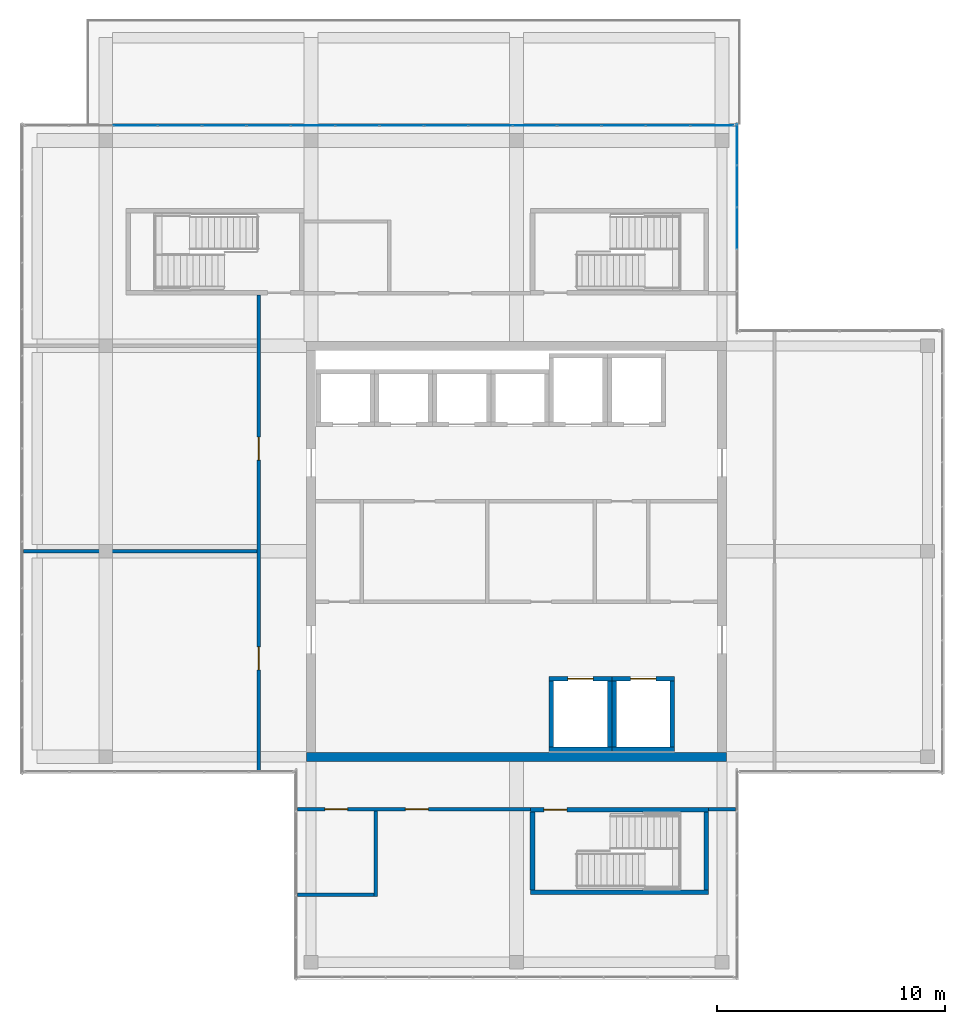
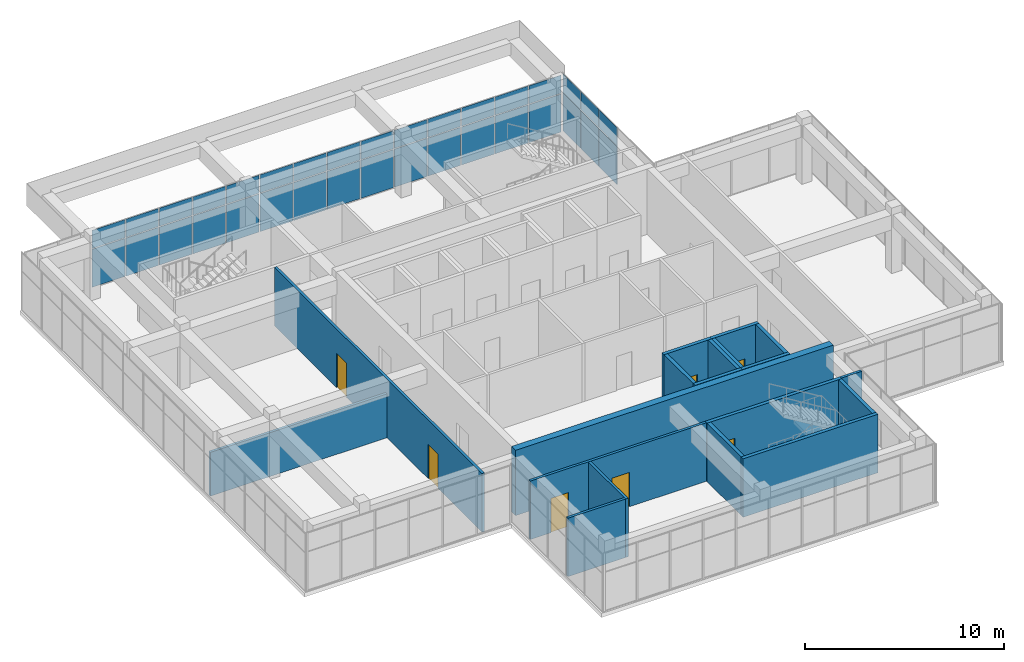
# One storey, part 31 of 35: 34 plates, 19 walls, 7 doors, 7 openings, 2 elements without a shape of their own.
"""IFC4 building model written with IfcOpenShell, lengths in metres."""

from ifc_helpers import new_model, si_unit, direction, frame, frame_2d, origin, origin_2d, place, context, subcontext, project, spatial, rectangle, extrude, material, layer, layer_set, type_object, element, fill, aggregate, save


model = new_model("IFC4")

# Units and contexts
model_context = context("Model", 3, precision=1e-05, world=origin(), true_north=direction((0.0, 1.0)))
body_context = subcontext(model_context, "Body", "Model", "MODEL_VIEW")
ifc_project = project(units=[si_unit("LENGTHUNIT", "METRE"), si_unit("AREAUNIT", "SQUARE_METRE"), si_unit("VOLUMEUNIT", "CUBIC_METRE"), si_unit("PLANEANGLEUNIT", "RADIAN"), si_unit("MASSUNIT", "GRAM", prefix="KILO")], contexts=[model_context])

# Site, building, storey
site_placement = place(None, origin())
site = spatial("IfcSite", under=ifc_project, at=site_placement, CompositionType="ELEMENT")
building_placement = place(site_placement, origin())
building = spatial("IfcBuilding", under=site, at=building_placement, Name="Tuart Plaza Theatre", CompositionType="ELEMENT")
storey_placement = place(building_placement, frame((0.0, 0.0, 49.5)))
storey = spatial("IfcBuildingStorey", under=building, at=storey_placement, Name="L12", CompositionType="ELEMENT", Elevation=49.5)

# Curtain wall, plates
ifc_material_1 = material(Name="Aluminium and glass", Category="aluminium")
ifc_layer_1 = layer(ifc_material_1, 0.10009765625)
ifc_layer_set_1 = layer_set([ifc_layer_1], Name="CURTAIN WALL 2000 module")
curtain_wall_type = type_object("IfcCurtainWallType", Name="CURTAIN WALL 2000 module", PredefinedType="NOTDEFINED", material=ifc_layer_set_1)
curtain_wall_1_placement = place(storey_placement, origin())
curtain_wall_1 = element("IfcCurtainWall", 1, at=curtain_wall_1_placement, inside=storey, type_object=curtain_wall_type, Name="CW104", PredefinedType="NOTDEFINED")
ifc_material_2 = material(Name="Glass", Category="glass")
ifc_layer_2 = layer(ifc_material_2, 0.028076171875)
ifc_layer_set_2 = layer_set([ifc_layer_2], Name="CURTAIN PANEL double glazed 28")
plate_type = type_object("IfcPlateType", Name="CURTAIN PANEL double glazed 28", PredefinedType="CURTAIN_PANEL", material=ifc_layer_set_2)
plate_1_placement = place(storey_placement, frame((141.64990234375, 88.14990234375, 0.0498046875), z_axis=(0.0, 0.0, 1.0), x_axis=(0.0, 1.0, 0.0)))
plate_1 = element("IfcPlate", 2, at=plate_1_placement, type_object=plate_type, Name="CW104 panel 3.1", PredefinedType="CURTAIN_PANEL", context=body_context, shape_type="SweptSolid", body=[
    extrude(rectangle(XDim=1.7900390625, YDim=0.028076171875, at=origin_2d()), origin(), (0.0, 0.0, 1.0), 2.324951171875),
])
plate_2_placement = place(storey_placement, frame((141.64990234375, 88.14990234375, 2.425048828125), z_axis=(0.0, 0.0, 1.0), x_axis=(0.0, 1.0, 0.0)))
plate_2 = element("IfcPlate", 3, at=plate_2_placement, type_object=plate_type, Name="CW104 panel 3.2", PredefinedType="CURTAIN_PANEL", context=body_context, shape_type="SweptSolid", body=[
    extrude(rectangle(XDim=1.7900390625, YDim=0.028076171875, at=origin_2d()), origin(), (0.0, 0.0, 1.0), 1.10498046875),
])
plate_3_placement = place(storey_placement, frame((141.64990234375, 89.989990234375, 0.0498046875), z_axis=(0.0, 0.0, 1.0), x_axis=(0.0, 1.0, 0.0)))
plate_3 = element("IfcPlate", 4, at=plate_3_placement, type_object=plate_type, Name="CW104 panel 4.1", PredefinedType="CURTAIN_PANEL", context=body_context, shape_type="SweptSolid", body=[
    extrude(rectangle(XDim=1.7900390625, YDim=0.028076171875, at=origin_2d()), origin(), (0.0, 0.0, 1.0), 2.324951171875),
])
plate_4_placement = place(storey_placement, frame((141.64990234375, 89.989990234375, 2.425048828125), z_axis=(0.0, 0.0, 1.0), x_axis=(0.0, 1.0, 0.0)))
plate_4 = element("IfcPlate", 5, at=plate_4_placement, type_object=plate_type, Name="CW104 panel 4.2", PredefinedType="CURTAIN_PANEL", context=body_context, shape_type="SweptSolid", body=[
    extrude(rectangle(XDim=1.7900390625, YDim=0.028076171875, at=origin_2d()), origin(), (0.0, 0.0, 1.0), 1.10498046875),
])
plate_5_placement = place(storey_placement, frame((141.64990234375, 91.8173828125, 0.0498046875), z_axis=(0.0, 0.0, 1.0), x_axis=(0.0, 1.0, 0.0)))
plate_5 = element("IfcPlate", 6, at=plate_5_placement, type_object=plate_type, Name="CW104 panel 5.1", PredefinedType="CURTAIN_PANEL", context=body_context, shape_type="SweptSolid", body=[
    extrude(rectangle(XDim=1.764892578125, YDim=0.028076171875, at=origin_2d()), origin(), (0.0, 0.0, 1.0), 2.324951171875),
])
plate_6_placement = place(storey_placement, frame((141.64990234375, 91.8173828125, 2.425048828125), z_axis=(0.0, 0.0, 1.0), x_axis=(0.0, 1.0, 0.0)))
plate_6 = element("IfcPlate", 7, at=plate_6_placement, type_object=plate_type, Name="CW104 panel 5.2", PredefinedType="CURTAIN_PANEL", context=body_context, shape_type="SweptSolid", body=[
    extrude(rectangle(XDim=1.764892578125, YDim=0.028076171875, at=origin_2d()), origin(), (0.0, 0.0, 1.0), 1.10498046875),
])
aggregate(curtain_wall_1, [plate_1, plate_2, plate_3, plate_4, plate_5, plate_6])

curtain_wall_2_placement = place(storey_placement, origin())
curtain_wall_2 = element("IfcCurtainWall", 8, at=curtain_wall_2_placement, inside=storey, type_object=curtain_wall_type, Name="CW105", PredefinedType="NOTDEFINED")
plate_7_placement = place(storey_placement, frame((140.565673828125, 92.64990234375, 0.0498046875), z_axis=(0.0, 0.0, 1.0), x_axis=(-1.0, 0.0, 0.0)))
plate_7 = element("IfcPlate", 9, at=plate_7_placement, type_object=plate_type, Name="CW105 panel 1.1", PredefinedType="CURTAIN_PANEL", context=body_context, shape_type="SweptSolid", body=[
    extrude(rectangle(XDim=1.86865234375, YDim=0.028076171875, at=origin_2d()), origin(), (0.0, 0.0, 1.0), 2.324951171875),
])
plate_8_placement = place(storey_placement, frame((140.565673828125, 92.64990234375, 2.425048828125), z_axis=(0.0, 0.0, 1.0), x_axis=(-1.0, 0.0, 0.0)))
plate_8 = element("IfcPlate", 10, at=plate_8_placement, type_object=plate_type, Name="CW105 panel 1.2", PredefinedType="CURTAIN_PANEL", context=body_context, shape_type="SweptSolid", body=[
    extrude(rectangle(XDim=1.86865234375, YDim=0.028076171875, at=origin_2d()), origin(), (0.0, 0.0, 1.0), 1.10498046875),
])
plate_9_placement = place(storey_placement, frame((138.63427734375, 92.64990234375, 0.0498046875), z_axis=(0.0, 0.0, 1.0), x_axis=(-1.0, 0.0, 0.0)))
plate_9 = element("IfcPlate", 11, at=plate_9_placement, type_object=plate_type, Name="CW105 panel 2.1", PredefinedType="CURTAIN_PANEL", context=body_context, shape_type="SweptSolid", body=[
    extrude(rectangle(XDim=1.893798828125, YDim=0.028076171875, at=origin_2d()), origin(), (0.0, 0.0, 1.0), 2.324951171875),
])
plate_10_placement = place(storey_placement, frame((138.63427734375, 92.64990234375, 2.425048828125), z_axis=(0.0, 0.0, 1.0), x_axis=(-1.0, 0.0, 0.0)))
plate_10 = element("IfcPlate", 12, at=plate_10_placement, type_object=plate_type, Name="CW105 panel 2.2", PredefinedType="CURTAIN_PANEL", context=body_context, shape_type="SweptSolid", body=[
    extrude(rectangle(XDim=1.893798828125, YDim=0.028076171875, at=origin_2d()), origin(), (0.0, 0.0, 1.0), 1.10498046875),
])
plate_11_placement = place(storey_placement, frame((136.690673828125, 92.64990234375, 0.0498046875), z_axis=(0.0, 0.0, 1.0), x_axis=(-1.0, 0.0, 0.0)))
plate_11 = element("IfcPlate", 13, at=plate_11_placement, type_object=plate_type, Name="CW105 panel 3.1", PredefinedType="CURTAIN_PANEL", context=body_context, shape_type="SweptSolid", body=[
    extrude(rectangle(XDim=1.893798828125, YDim=0.028076171875, at=origin_2d()), origin(), (0.0, 0.0, 1.0), 2.324951171875),
])
plate_12_placement = place(storey_placement, frame((136.690673828125, 92.64990234375, 2.425048828125), z_axis=(0.0, 0.0, 1.0), x_axis=(-1.0, 0.0, 0.0)))
plate_12 = element("IfcPlate", 14, at=plate_12_placement, type_object=plate_type, Name="CW105 panel 3.2", PredefinedType="CURTAIN_PANEL", context=body_context, shape_type="SweptSolid", body=[
    extrude(rectangle(XDim=1.893798828125, YDim=0.028076171875, at=origin_2d()), origin(), (0.0, 0.0, 1.0), 1.10498046875),
])
plate_13_placement = place(storey_placement, frame((134.746826171875, 92.64990234375, 0.0498046875), z_axis=(0.0, 0.0, 1.0), x_axis=(-1.0, 0.0, 0.0)))
plate_13 = element("IfcPlate", 15, at=plate_13_placement, type_object=plate_type, Name="CW105 panel 4.1", PredefinedType="CURTAIN_PANEL", context=body_context, shape_type="SweptSolid", body=[
    extrude(rectangle(XDim=1.893798828125, YDim=0.028076171875, at=origin_2d()), origin(), (0.0, 0.0, 1.0), 2.324951171875),
])
plate_14_placement = place(storey_placement, frame((134.746826171875, 92.64990234375, 2.425048828125), z_axis=(0.0, 0.0, 1.0), x_axis=(-1.0, 0.0, 0.0)))
plate_14 = element("IfcPlate", 16, at=plate_14_placement, type_object=plate_type, Name="CW105 panel 4.2", PredefinedType="CURTAIN_PANEL", context=body_context, shape_type="SweptSolid", body=[
    extrude(rectangle(XDim=1.893798828125, YDim=0.028076171875, at=origin_2d()), origin(), (0.0, 0.0, 1.0), 1.10498046875),
])
plate_15_placement = place(storey_placement, frame((132.80322265625, 92.64990234375, 0.0498046875), z_axis=(0.0, 0.0, 1.0), x_axis=(-1.0, 0.0, 0.0)))
plate_15 = element("IfcPlate", 17, at=plate_15_placement, type_object=plate_type, Name="CW105 panel 5.1", PredefinedType="CURTAIN_PANEL", context=body_context, shape_type="SweptSolid", body=[
    extrude(rectangle(XDim=1.893798828125, YDim=0.028076171875, at=origin_2d()), origin(), (0.0, 0.0, 1.0), 2.324951171875),
])
plate_16_placement = place(storey_placement, frame((132.80322265625, 92.64990234375, 2.425048828125), z_axis=(0.0, 0.0, 1.0), x_axis=(-1.0, 0.0, 0.0)))
plate_16 = element("IfcPlate", 18, at=plate_16_placement, type_object=plate_type, Name="CW105 panel 5.2", PredefinedType="CURTAIN_PANEL", context=body_context, shape_type="SweptSolid", body=[
    extrude(rectangle(XDim=1.893798828125, YDim=0.028076171875, at=origin_2d()), origin(), (0.0, 0.0, 1.0), 1.10498046875),
])
plate_17_placement = place(storey_placement, frame((130.859375, 92.64990234375, 0.0498046875), z_axis=(0.0, 0.0, 1.0), x_axis=(-1.0, 0.0, 0.0)))
plate_17 = element("IfcPlate", 19, at=plate_17_placement, type_object=plate_type, Name="CW105 panel 6.1", PredefinedType="CURTAIN_PANEL", context=body_context, shape_type="SweptSolid", body=[
    extrude(rectangle(XDim=1.893798828125, YDim=0.028076171875, at=origin_2d()), origin(), (0.0, 0.0, 1.0), 2.324951171875),
])
plate_18_placement = place(storey_placement, frame((130.859375, 92.64990234375, 2.425048828125), z_axis=(0.0, 0.0, 1.0), x_axis=(-1.0, 0.0, 0.0)))
plate_18 = element("IfcPlate", 20, at=plate_18_placement, type_object=plate_type, Name="CW105 panel 6.2", PredefinedType="CURTAIN_PANEL", context=body_context, shape_type="SweptSolid", body=[
    extrude(rectangle(XDim=1.893798828125, YDim=0.028076171875, at=origin_2d()), origin(), (0.0, 0.0, 1.0), 1.10498046875),
])
plate_19_placement = place(storey_placement, frame((128.91552734375, 92.64990234375, 0.0498046875), z_axis=(0.0, 0.0, 1.0), x_axis=(-1.0, 0.0, 0.0)))
plate_19 = element("IfcPlate", 21, at=plate_19_placement, type_object=plate_type, Name="CW105 panel 7.1", PredefinedType="CURTAIN_PANEL", context=body_context, shape_type="SweptSolid", body=[
    extrude(rectangle(XDim=1.893798828125, YDim=0.028076171875, at=origin_2d()), origin(), (0.0, 0.0, 1.0), 2.324951171875),
])
plate_20_placement = place(storey_placement, frame((128.91552734375, 92.64990234375, 2.425048828125), z_axis=(0.0, 0.0, 1.0), x_axis=(-1.0, 0.0, 0.0)))
plate_20 = element("IfcPlate", 22, at=plate_20_placement, type_object=plate_type, Name="CW105 panel 7.2", PredefinedType="CURTAIN_PANEL", context=body_context, shape_type="SweptSolid", body=[
    extrude(rectangle(XDim=1.893798828125, YDim=0.028076171875, at=origin_2d()), origin(), (0.0, 0.0, 1.0), 1.10498046875),
])
plate_21_placement = place(storey_placement, frame((126.971923828125, 92.64990234375, 0.0498046875), z_axis=(0.0, 0.0, 1.0), x_axis=(-1.0, 0.0, 0.0)))
plate_21 = element("IfcPlate", 23, at=plate_21_placement, type_object=plate_type, Name="CW105 panel 8.1", PredefinedType="CURTAIN_PANEL", context=body_context, shape_type="SweptSolid", body=[
    extrude(rectangle(XDim=1.893798828125, YDim=0.028076171875, at=origin_2d()), origin(), (0.0, 0.0, 1.0), 2.324951171875),
])
plate_22_placement = place(storey_placement, frame((126.971923828125, 92.64990234375, 2.425048828125), z_axis=(0.0, 0.0, 1.0), x_axis=(-1.0, 0.0, 0.0)))
plate_22 = element("IfcPlate", 24, at=plate_22_placement, type_object=plate_type, Name="CW105 panel 8.2", PredefinedType="CURTAIN_PANEL", context=body_context, shape_type="SweptSolid", body=[
    extrude(rectangle(XDim=1.893798828125, YDim=0.028076171875, at=origin_2d()), origin(), (0.0, 0.0, 1.0), 1.10498046875),
])
plate_23_placement = place(storey_placement, frame((125.028076171875, 92.64990234375, 0.0498046875), z_axis=(0.0, 0.0, 1.0), x_axis=(-1.0, 0.0, 0.0)))
plate_23 = element("IfcPlate", 25, at=plate_23_placement, type_object=plate_type, Name="CW105 panel 9.1", PredefinedType="CURTAIN_PANEL", context=body_context, shape_type="SweptSolid", body=[
    extrude(rectangle(XDim=1.893798828125, YDim=0.028076171875, at=origin_2d()), origin(), (0.0, 0.0, 1.0), 2.324951171875),
])
plate_24_placement = place(storey_placement, frame((125.028076171875, 92.64990234375, 2.425048828125), z_axis=(0.0, 0.0, 1.0), x_axis=(-1.0, 0.0, 0.0)))
plate_24 = element("IfcPlate", 26, at=plate_24_placement, type_object=plate_type, Name="CW105 panel 9.2", PredefinedType="CURTAIN_PANEL", context=body_context, shape_type="SweptSolid", body=[
    extrude(rectangle(XDim=1.893798828125, YDim=0.028076171875, at=origin_2d()), origin(), (0.0, 0.0, 1.0), 1.10498046875),
])
plate_25_placement = place(storey_placement, frame((123.08447265625, 92.64990234375, 0.0498046875), z_axis=(0.0, 0.0, 1.0), x_axis=(-1.0, 0.0, 0.0)))
plate_25 = element("IfcPlate", 27, at=plate_25_placement, type_object=plate_type, Name="CW105 panel 10.1", PredefinedType="CURTAIN_PANEL", context=body_context, shape_type="SweptSolid", body=[
    extrude(rectangle(XDim=1.893798828125, YDim=0.028076171875, at=origin_2d()), origin(), (0.0, 0.0, 1.0), 2.324951171875),
])
plate_26_placement = place(storey_placement, frame((123.08447265625, 92.64990234375, 2.425048828125), z_axis=(0.0, 0.0, 1.0), x_axis=(-1.0, 0.0, 0.0)))
plate_26 = element("IfcPlate", 28, at=plate_26_placement, type_object=plate_type, Name="CW105 panel 10.2", PredefinedType="CURTAIN_PANEL", context=body_context, shape_type="SweptSolid", body=[
    extrude(rectangle(XDim=1.893798828125, YDim=0.028076171875, at=origin_2d()), origin(), (0.0, 0.0, 1.0), 1.10498046875),
])
plate_27_placement = place(storey_placement, frame((121.140625, 92.64990234375, 0.0498046875), z_axis=(0.0, 0.0, 1.0), x_axis=(-1.0, 0.0, 0.0)))
plate_27 = element("IfcPlate", 29, at=plate_27_placement, type_object=plate_type, Name="CW105 panel 11.1", PredefinedType="CURTAIN_PANEL", context=body_context, shape_type="SweptSolid", body=[
    extrude(rectangle(XDim=1.893798828125, YDim=0.028076171875, at=origin_2d()), origin(), (0.0, 0.0, 1.0), 2.324951171875),
])
plate_28_placement = place(storey_placement, frame((121.140625, 92.64990234375, 2.425048828125), z_axis=(0.0, 0.0, 1.0), x_axis=(-1.0, 0.0, 0.0)))
plate_28 = element("IfcPlate", 30, at=plate_28_placement, type_object=plate_type, Name="CW105 panel 11.2", PredefinedType="CURTAIN_PANEL", context=body_context, shape_type="SweptSolid", body=[
    extrude(rectangle(XDim=1.893798828125, YDim=0.028076171875, at=origin_2d()), origin(), (0.0, 0.0, 1.0), 1.10498046875),
])
plate_29_placement = place(storey_placement, frame((119.19677734375, 92.64990234375, 0.0498046875), z_axis=(0.0, 0.0, 1.0), x_axis=(-1.0, 0.0, 0.0)))
plate_29 = element("IfcPlate", 31, at=plate_29_placement, type_object=plate_type, Name="CW105 panel 12.1", PredefinedType="CURTAIN_PANEL", context=body_context, shape_type="SweptSolid", body=[
    extrude(rectangle(XDim=1.893798828125, YDim=0.028076171875, at=origin_2d()), origin(), (0.0, 0.0, 1.0), 2.324951171875),
])
plate_30_placement = place(storey_placement, frame((119.19677734375, 92.64990234375, 2.425048828125), z_axis=(0.0, 0.0, 1.0), x_axis=(-1.0, 0.0, 0.0)))
plate_30 = element("IfcPlate", 32, at=plate_30_placement, type_object=plate_type, Name="CW105 panel 12.2", PredefinedType="CURTAIN_PANEL", context=body_context, shape_type="SweptSolid", body=[
    extrude(rectangle(XDim=1.893798828125, YDim=0.028076171875, at=origin_2d()), origin(), (0.0, 0.0, 1.0), 1.10498046875),
])
plate_31_placement = place(storey_placement, frame((117.253173828125, 92.64990234375, 0.0498046875), z_axis=(0.0, 0.0, 1.0), x_axis=(-1.0, 0.0, 0.0)))
plate_31 = element("IfcPlate", 33, at=plate_31_placement, type_object=plate_type, Name="CW105 panel 13.1", PredefinedType="CURTAIN_PANEL", context=body_context, shape_type="SweptSolid", body=[
    extrude(rectangle(XDim=1.893798828125, YDim=0.028076171875, at=origin_2d()), origin(), (0.0, 0.0, 1.0), 2.324951171875),
])
plate_32_placement = place(storey_placement, frame((117.253173828125, 92.64990234375, 2.425048828125), z_axis=(0.0, 0.0, 1.0), x_axis=(-1.0, 0.0, 0.0)))
plate_32 = element("IfcPlate", 34, at=plate_32_placement, type_object=plate_type, Name="CW105 panel 13.2", PredefinedType="CURTAIN_PANEL", context=body_context, shape_type="SweptSolid", body=[
    extrude(rectangle(XDim=1.893798828125, YDim=0.028076171875, at=origin_2d()), origin(), (0.0, 0.0, 1.0), 1.10498046875),
])
plate_33_placement = place(storey_placement, frame((115.309326171875, 92.64990234375, 0.0498046875), z_axis=(0.0, 0.0, 1.0), x_axis=(-1.0, 0.0, 0.0)))
plate_33 = element("IfcPlate", 35, at=plate_33_placement, type_object=plate_type, Name="CW105 panel 14.1", PredefinedType="CURTAIN_PANEL", context=body_context, shape_type="SweptSolid", body=[
    extrude(rectangle(XDim=1.893798828125, YDim=0.028076171875, at=origin_2d()), origin(), (0.0, 0.0, 1.0), 2.324951171875),
])
plate_34_placement = place(storey_placement, frame((115.309326171875, 92.64990234375, 2.425048828125), z_axis=(0.0, 0.0, 1.0), x_axis=(-1.0, 0.0, 0.0)))
plate_34 = element("IfcPlate", 36, at=plate_34_placement, type_object=plate_type, Name="CW105 panel 14.2", PredefinedType="CURTAIN_PANEL", context=body_context, shape_type="SweptSolid", body=[
    extrude(rectangle(XDim=1.893798828125, YDim=0.028076171875, at=origin_2d()), origin(), (0.0, 0.0, 1.0), 1.10498046875),
])
aggregate(curtain_wall_2, [plate_7, plate_8, plate_9, plate_10, plate_11, plate_12, plate_13, plate_14, plate_15, plate_16, plate_17, plate_18, plate_19, plate_20, plate_21, plate_22, plate_23, plate_24, plate_25, plate_26, plate_27, plate_28, plate_29, plate_30, plate_31, plate_32, plate_33, plate_34])

# Wall, openings, doors
ifc_material_3 = material(Name="Masonry block", Category="masonry")
ifc_layer_3 = layer(ifc_material_3, 0.14990234375)
ifc_layer_set_3 = layer_set([ifc_layer_3], Name="PARTITION BLK150 MASONRYB FRL 120/-/-")
wall_type_1 = type_object("IfcWallType", Name="PARTITION BLK150 MASONRYB FRL 120/-/-", PredefinedType="PARTITIONING", material=ifc_layer_set_3)
wall_1_placement = place(storey_placement, frame((132.60009765625, 62.699951171875, 0.0), z_axis=(0.0, 0.0, 1.0), x_axis=(-1.0, 0.0, 0.0)))
wall_1 = element("IfcWall", 37, at=wall_1_placement, inside=storey, type_object=wall_type_1, Name="P680", PredefinedType="PARTITIONING", context=body_context, shape_type="SweptSolid", body=[
    extrude(rectangle(XDim=10.2001953125, YDim=0.14990234375, at=frame_2d((5.10009765625, 0.0))), origin(), (0.0, 0.0, 1.0), 3.580078125),
])
opening_1_placement = place(wall_1_placement, frame((8.0, 0.0, 0.0)))
opening_1 = element("IfcOpeningElement", 38, at=opening_1_placement, cuts=wall_1, Name="Opening L12-021", PredefinedType="OPENING", context=body_context, shape_type="SweptSolid", body=[
    extrude(rectangle(XDim=1.0, YDim=2.10009765625, at=frame_2d((0.5, 1.050048828125))), frame((0.0, 0.0849609375, 0.0), z_axis=(0.0, -1.0, 0.0), x_axis=(1.0, 0.0, 0.0)), (0.0, 0.0, 1.0), 0.169921875),
])
opening_2_placement = place(wall_1_placement, frame((4.465087890625, 0.0, 0.0)))
opening_2 = element("IfcOpeningElement", 39, at=opening_2_placement, cuts=wall_1, Name="Opening L12-023", PredefinedType="OPENING", context=body_context, shape_type="SweptSolid", body=[
    extrude(rectangle(XDim=1.0, YDim=2.10009765625, at=frame_2d((0.5, 1.050048828125))), frame((0.0, 0.0849609375, 0.0), z_axis=(0.0, -1.0, 0.0), x_axis=(1.0, 0.0, 0.0)), (0.0, 0.0, 1.0), 0.169921875),
])
ifc_material_4 = material(Name="Timber", Category="wood")
door_type_1 = type_object("IfcDoorType", Name="DOOR 1000x2100 timber single swing FRL -/60/30", OperationType="SINGLE_SWING_LEFT", PredefinedType="DOOR", material=ifc_material_4)
door_1_placement = place(opening_1_placement, origin())
door_1 = element("IfcDoor", 40, at=door_1_placement, inside=storey, type_object=door_type_1, Name="L12-021", OperationType="SINGLE_SWING_RIGHT", OverallHeight=2.10009765625, OverallWidth=1.0, PredefinedType="DOOR", context=body_context, shape_type="SweptSolid", body=[
    extrude(rectangle(XDim=1.0, YDim=2.10009765625, at=frame_2d((0.5, 1.050048828125))), frame((0.0, 0.02490234375, 0.0), z_axis=(0.0, -1.0, 0.0), x_axis=(1.0, 0.0, 0.0)), (0.0, 0.0, 1.0), 0.050048828125),
])
fill(opening_1, door_1)
door_2_placement = place(opening_2_placement, origin())
door_2 = element("IfcDoor", 41, at=door_2_placement, inside=storey, type_object=door_type_1, Name="L12-023", OperationType="SINGLE_SWING_LEFT", OverallHeight=2.10009765625, OverallWidth=1.0, PredefinedType="DOOR", context=body_context, shape_type="SweptSolid", body=[
    extrude(rectangle(XDim=1.0, YDim=2.10009765625, at=frame_2d((0.5, 1.050048828125))), frame((0.0, 0.02490234375, 0.0), z_axis=(0.0, -1.0, 0.0), x_axis=(1.0, 0.0, 0.0)), (0.0, 0.0, 1.0), 0.050048828125),
])
fill(opening_2, door_2)

# Wall
wall_2_placement = place(storey_placement, frame((141.60009765625, 62.699951171875, 0.0), z_axis=(0.0, 0.0, 1.0), x_axis=(-1.0, 0.0, 0.0)))
element("IfcWall", 42, at=wall_2_placement, inside=storey, type_object=wall_type_1, Name="P681", PredefinedType="PARTITIONING", context=body_context, shape_type="SweptSolid", body=[
    extrude(rectangle(XDim=1.2001953125, YDim=0.14990234375, at=frame_2d((0.60009765625, 0.0))), origin(), (0.0, 0.0, 1.0), 3.580078125),
])

# Wall, openings, doors
wall_3_placement = place(storey_placement, frame((120.699951171875, 64.39990234375, 0.0), z_axis=(0.0, 0.0, 1.0), x_axis=(0.0, 1.0, 0.0)))
wall_3 = element("IfcWall", 43, at=wall_3_placement, inside=storey, type_object=wall_type_1, Name="P682", PredefinedType="PARTITIONING", context=body_context, shape_type="SweptSolid", body=[
    extrude(rectangle(XDim=20.8251953125, YDim=0.14990234375, at=frame_2d((10.41259765625, 0.0))), origin(), (0.0, 0.0, 1.0), 3.580078125),
])
opening_3_placement = place(wall_3_placement, frame((4.41259765625, 0.0, 0.0)))
opening_3 = element("IfcOpeningElement", 44, at=opening_3_placement, cuts=wall_3, Name="Opening L12-024", PredefinedType="OPENING", context=body_context, shape_type="SweptSolid", body=[
    extrude(rectangle(XDim=1.0, YDim=2.10009765625, at=frame_2d((0.5, 1.050048828125))), frame((0.0, 0.0849609375, 0.0), z_axis=(0.0, -1.0, 0.0), x_axis=(1.0, 0.0, 0.0)), (0.0, 0.0, 1.0), 0.169921875),
])
opening_4_placement = place(wall_3_placement, frame((13.60009765625, 0.0, 0.0)))
opening_4 = element("IfcOpeningElement", 45, at=opening_4_placement, cuts=wall_3, Name="Opening L12-026", PredefinedType="OPENING", context=body_context, shape_type="SweptSolid", body=[
    extrude(rectangle(XDim=1.0, YDim=2.10009765625, at=frame_2d((0.5, 1.050048828125))), frame((0.0, 0.0849609375, 0.0), z_axis=(0.0, -1.0, 0.0), x_axis=(1.0, 0.0, 0.0)), (0.0, 0.0, 1.0), 0.169921875),
])
door_3_placement = place(opening_3_placement, origin())
door_3 = element("IfcDoor", 46, at=door_3_placement, inside=storey, type_object=door_type_1, Name="L12-024", OperationType="SINGLE_SWING_RIGHT", OverallHeight=2.10009765625, OverallWidth=1.0, PredefinedType="DOOR", context=body_context, shape_type="SweptSolid", body=[
    extrude(rectangle(XDim=1.0, YDim=2.10009765625, at=frame_2d((0.5, 1.050048828125))), frame((0.0, 0.02490234375, 0.0), z_axis=(0.0, -1.0, 0.0), x_axis=(1.0, 0.0, 0.0)), (0.0, 0.0, 1.0), 0.050048828125),
])
fill(opening_3, door_3)
door_4_placement = place(opening_4_placement, origin())
door_4 = element("IfcDoor", 47, at=door_4_placement, inside=storey, type_object=door_type_1, Name="L12-026", OperationType="SINGLE_SWING_LEFT", OverallHeight=2.10009765625, OverallWidth=1.0, PredefinedType="DOOR", context=body_context, shape_type="SweptSolid", body=[
    extrude(rectangle(XDim=1.0, YDim=2.10009765625, at=frame_2d((0.5, 1.050048828125))), frame((0.0, 0.02490234375, 0.0), z_axis=(0.0, -1.0, 0.0), x_axis=(1.0, 0.0, 0.0)), (0.0, 0.0, 1.0), 0.050048828125),
])
fill(opening_4, door_4)

# Walls
wall_4_placement = place(storey_placement, frame((110.39990234375, 74.0, 0.0), z_axis=(0.0, 0.0, 1.0), x_axis=(1.0, 0.0, 0.0)))
element("IfcWall", 48, at=wall_4_placement, inside=storey, type_object=wall_type_1, Name="P686", PredefinedType="PARTITIONING", context=body_context, shape_type="SweptSolid", body=[
    extrude(rectangle(XDim=10.22607421875, YDim=0.14990234375, at=frame_2d((5.113037109375, 0.0))), origin(), (0.0, 0.0, 1.0), 2.679931640625),
])
wall_5_placement = place(storey_placement, frame((122.39990234375, 58.949951171875, 0.0), z_axis=(0.0, 0.0, 1.0), x_axis=(1.0, 0.0, 0.0)))
element("IfcWall", 49, at=wall_5_placement, inside=storey, type_object=wall_type_1, Name="P688", PredefinedType="PARTITIONING", context=body_context, shape_type="SweptSolid", body=[
    extrude(rectangle(XDim=3.35009765625, YDim=0.14990234375, at=frame_2d((1.675048828125, 0.0))), origin(), (0.0, 0.0, 1.0), 3.580078125),
])
wall_6_placement = place(storey_placement, frame((125.824951171875, 62.625, 0.0), z_axis=(0.0, 0.0, 1.0), x_axis=(0.0, -1.0, 0.0)))
element("IfcWall", 50, at=wall_6_placement, inside=storey, type_object=wall_type_1, Name="P689", PredefinedType="PARTITIONING", context=body_context, shape_type="SweptSolid", body=[
    extrude(rectangle(XDim=3.75, YDim=0.14990234375, at=frame_2d((1.875, 0.0))), origin(), (0.0, 0.0, 1.0), 3.580078125),
])
ifc_material_5 = material(Name="Concrete N40 (40 MPa)", Category="concrete")
ifc_layer_4 = layer(ifc_material_5, 0.199951171875)
ifc_layer_set_4 = layer_set([ifc_layer_4], Name="SHEAR WALL RC200 FRL 120/120/120")
wall_type_2 = type_object("IfcWallType", Name="SHEAR WALL RC200 FRL 120/120/120", PredefinedType="SHEAR", material=ifc_layer_set_4)
wall_7_placement = place(storey_placement, frame((133.425048828125, 65.324951171875, 0.0), z_axis=(0.0, 0.0, 1.0), x_axis=(1.0, 0.0, 0.0)))
element("IfcWall", 51, at=wall_7_placement, inside=storey, type_object=wall_type_2, Name="W1062", PredefinedType="SHEAR", context=body_context, shape_type="SweptSolid", body=[
    extrude(rectangle(XDim=2.75, YDim=0.199951171875, at=frame_2d((1.375, 0.0))), origin(), (0.0, 0.0, 1.0), 4.0),
])
wall_8_placement = place(storey_placement, frame((136.074951171875, 65.425048828125, 0.0), z_axis=(0.0, 0.0, 1.0), x_axis=(0.0, 1.0, 0.0)))
element("IfcWall", 52, at=wall_8_placement, inside=storey, type_object=wall_type_2, Name="W1063", PredefinedType="SHEAR", context=body_context, shape_type="SweptSolid", body=[
    extrude(rectangle(XDim=2.89990234375, YDim=0.199951171875, at=frame_2d((1.449951171875, 0.0))), origin(), (0.0, 0.0, 1.0), 4.0),
])

# Wall, opening, door
wall_9_placement = place(storey_placement, frame((136.175048828125, 68.425048828125, 0.0), z_axis=(0.0, 0.0, 1.0), x_axis=(-1.0, 0.0, 0.0)))
wall_9 = element("IfcWall", 53, at=wall_9_placement, inside=storey, type_object=wall_type_2, Name="W1064", PredefinedType="SHEAR", context=body_context, shape_type="SweptSolid", body=[
    extrude(rectangle(XDim=2.75, YDim=0.199951171875, at=frame_2d((1.375, 0.0))), origin(), (0.0, 0.0, 1.0), 4.0),
])
opening_5_placement = place(wall_9_placement, frame((0.824951171875, 0.0, 0.0)))
opening_5 = element("IfcOpeningElement", 54, at=opening_5_placement, cuts=wall_9, Name="Opening L12-005", PredefinedType="OPENING", context=body_context, shape_type="SweptSolid", body=[
    extrude(rectangle(XDim=1.10009765625, YDim=2.10009765625, at=frame_2d((0.550048828125, 1.050048828125))), frame((0.0, 0.10986328125, 0.0), z_axis=(0.0, -1.0, 0.0), x_axis=(1.0, 0.0, 0.0)), (0.0, 0.0, 1.0), 0.219970703125),
])
ifc_material_6 = material(Name="Steel Grade 300", Category="steel")
door_type_2 = type_object("IfcDoorType", Name="LANDING DOOR 1100x2100 steel sliding FRL -/120/30", OperationType="SLIDING_TO_LEFT", PredefinedType="DOOR", material=ifc_material_6)
door_5_placement = place(opening_5_placement, origin())
door_5 = element("IfcDoor", 55, at=door_5_placement, inside=storey, type_object=door_type_2, Name="L12-005", OperationType="SLIDING_TO_LEFT", OverallHeight=2.10009765625, OverallWidth=1.10009765625, PredefinedType="DOOR", context=body_context, shape_type="SweptSolid", body=[
    extrude(rectangle(XDim=1.10009765625, YDim=2.10009765625, at=frame_2d((0.550048828125, 1.050048828125))), frame((0.0, 0.02490234375, 0.0), z_axis=(0.0, -1.0, 0.0), x_axis=(1.0, 0.0, 0.0)), (0.0, 0.0, 1.0), 0.050048828125),
])
fill(opening_5, door_5)

# Walls
wall_10_placement = place(storey_placement, frame((133.52490234375, 68.324951171875, 0.0), z_axis=(0.0, 0.0, 1.0), x_axis=(0.0, -1.0, 0.0)))
element("IfcWall", 56, at=wall_10_placement, inside=storey, type_object=wall_type_2, Name="W1065", PredefinedType="SHEAR", context=body_context, shape_type="SweptSolid", body=[
    extrude(rectangle(XDim=2.89990234375, YDim=0.199951171875, at=frame_2d((1.449951171875, 0.0))), origin(), (0.0, 0.0, 1.0), 4.0),
])
wall_11_placement = place(storey_placement, frame((136.175048828125, 65.324951171875, 0.0), z_axis=(0.0, 0.0, 1.0), x_axis=(1.0, 0.0, 0.0)))
element("IfcWall", 57, at=wall_11_placement, inside=storey, type_object=wall_type_2, Name="W1138", PredefinedType="SHEAR", context=body_context, shape_type="SweptSolid", body=[
    extrude(rectangle(XDim=2.75, YDim=0.199951171875, at=frame_2d((1.375, 0.0))), origin(), (0.0, 0.0, 1.0), 4.0),
])
wall_12_placement = place(storey_placement, frame((138.824951171875, 65.425048828125, 0.0), z_axis=(0.0, 0.0, 1.0), x_axis=(0.0, 1.0, 0.0)))
element("IfcWall", 58, at=wall_12_placement, inside=storey, type_object=wall_type_2, Name="W1139", PredefinedType="SHEAR", context=body_context, shape_type="SweptSolid", body=[
    extrude(rectangle(XDim=2.89990234375, YDim=0.199951171875, at=frame_2d((1.449951171875, 0.0))), origin(), (0.0, 0.0, 1.0), 4.0),
])

# Wall, opening, door
wall_13_placement = place(storey_placement, frame((138.925048828125, 68.425048828125, 0.0), z_axis=(0.0, 0.0, 1.0), x_axis=(-1.0, 0.0, 0.0)))
wall_13 = element("IfcWall", 59, at=wall_13_placement, inside=storey, type_object=wall_type_2, Name="W1140", PredefinedType="SHEAR", context=body_context, shape_type="SweptSolid", body=[
    extrude(rectangle(XDim=2.75, YDim=0.199951171875, at=frame_2d((1.375, 0.0))), origin(), (0.0, 0.0, 1.0), 4.0),
])
opening_6_placement = place(wall_13_placement, frame((0.824951171875, 0.0, 0.0)))
opening_6 = element("IfcOpeningElement", 60, at=opening_6_placement, cuts=wall_13, Name="Opening L12-006", PredefinedType="OPENING", context=body_context, shape_type="SweptSolid", body=[
    extrude(rectangle(XDim=1.10009765625, YDim=2.10009765625, at=frame_2d((0.550048828125, 1.050048828125))), frame((0.0, 0.10986328125, 0.0), z_axis=(0.0, -1.0, 0.0), x_axis=(1.0, 0.0, 0.0)), (0.0, 0.0, 1.0), 0.219970703125),
])
door_6_placement = place(opening_6_placement, origin())
door_6 = element("IfcDoor", 61, at=door_6_placement, inside=storey, type_object=door_type_2, Name="L12-006", OperationType="SLIDING_TO_LEFT", OverallHeight=2.10009765625, OverallWidth=1.10009765625, PredefinedType="DOOR", context=body_context, shape_type="SweptSolid", body=[
    extrude(rectangle(XDim=1.10009765625, YDim=2.10009765625, at=frame_2d((0.550048828125, 1.050048828125))), frame((0.0, 0.02490234375, 0.0), z_axis=(0.0, -1.0, 0.0), x_axis=(1.0, 0.0, 0.0)), (0.0, 0.0, 1.0), 0.050048828125),
])
fill(opening_6, door_6)

# Walls
wall_14_placement = place(storey_placement, frame((136.27490234375, 68.324951171875, 0.0), z_axis=(0.0, 0.0, 1.0), x_axis=(0.0, -1.0, 0.0)))
element("IfcWall", 62, at=wall_14_placement, inside=storey, type_object=wall_type_2, Name="W1141", PredefinedType="SHEAR", context=body_context, shape_type="SweptSolid", body=[
    extrude(rectangle(XDim=2.89990234375, YDim=0.199951171875, at=frame_2d((1.449951171875, 0.0))), origin(), (0.0, 0.0, 1.0), 4.0),
])
wall_15_placement = place(storey_placement, frame((132.60009765625, 59.074951171875, 0.0), z_axis=(0.0, 0.0, 1.0), x_axis=(1.0, 0.0, 0.0)))
element("IfcWall", 63, at=wall_15_placement, inside=storey, type_object=wall_type_2, Name="P408", PredefinedType="SHEAR", context=body_context, shape_type="SweptSolid", body=[
    extrude(rectangle(XDim=7.7998046875, YDim=0.199951171875, at=frame_2d((3.89990234375, 0.0))), origin(), (0.0, 0.0, 1.0), 3.580078125),
])
wall_16_placement = place(storey_placement, frame((140.300048828125, 59.175048828125, 0.0), z_axis=(0.0, 0.0, 1.0), x_axis=(0.0, 1.0, 0.0)))
element("IfcWall", 64, at=wall_16_placement, inside=storey, type_object=wall_type_2, Name="P409", PredefinedType="SHEAR", context=body_context, shape_type="SweptSolid", body=[
    extrude(rectangle(XDim=3.39990234375, YDim=0.199951171875, at=frame_2d((1.699951171875, 0.0))), origin(), (0.0, 0.0, 1.0), 3.580078125),
])

# Wall, opening, door
wall_17_placement = place(storey_placement, frame((140.39990234375, 62.675048828125, 0.0), z_axis=(0.0, 0.0, 1.0), x_axis=(-1.0, 0.0, 0.0)))
wall_17 = element("IfcWall", 65, at=wall_17_placement, inside=storey, type_object=wall_type_2, Name="P410", PredefinedType="SHEAR", context=body_context, shape_type="SweptSolid", body=[
    extrude(rectangle(XDim=7.7998046875, YDim=0.199951171875, at=frame_2d((3.89990234375, 0.0))), origin(), (0.0, 0.0, 1.0), 3.580078125),
])
opening_7_placement = place(wall_17_placement, frame((6.199951171875, 0.0, 0.0)))
opening_7 = element("IfcOpeningElement", 66, at=opening_7_placement, cuts=wall_17, Name="Opening L12-009", PredefinedType="OPENING", context=body_context, shape_type="SweptSolid", body=[
    extrude(rectangle(XDim=1.0, YDim=2.10009765625, at=frame_2d((0.5, 1.050048828125))), frame((0.0, 0.10986328125, 0.0), z_axis=(0.0, -1.0, 0.0), x_axis=(1.0, 0.0, 0.0)), (0.0, 0.0, 1.0), 0.219970703125),
])
ifc_material_7 = material(Name="Steel Grade 300", Category="steel")
door_type_3 = type_object("IfcDoorType", Name="DOOR 1000x2100 steel single swing FRL -/120/30", OperationType="SINGLE_SWING_LEFT", PredefinedType="DOOR", material=ifc_material_7)
door_7_placement = place(opening_7_placement, origin())
door_7 = element("IfcDoor", 67, at=door_7_placement, inside=storey, type_object=door_type_3, Name="L12-009", OperationType="SINGLE_SWING_LEFT", OverallHeight=2.10009765625, OverallWidth=1.0, PredefinedType="DOOR", context=body_context, shape_type="SweptSolid", body=[
    extrude(rectangle(XDim=1.0, YDim=2.10009765625, at=frame_2d((0.5, 1.050048828125))), frame((0.0, 0.02490234375, 0.0), z_axis=(0.0, -1.0, 0.0), x_axis=(1.0, 0.0, 0.0)), (0.0, 0.0, 1.0), 0.050048828125),
])
fill(opening_7, door_7)

# Walls
wall_18_placement = place(storey_placement, frame((132.699951171875, 62.574951171875, 0.0), z_axis=(0.0, 0.0, 1.0), x_axis=(0.0, -1.0, 0.0)))
element("IfcWall", 68, at=wall_18_placement, inside=storey, type_object=wall_type_2, Name="P411", PredefinedType="SHEAR", context=body_context, shape_type="SweptSolid", body=[
    extrude(rectangle(XDim=3.39990234375, YDim=0.199951171875, at=frame_2d((1.699951171875, 0.0))), origin(), (0.0, 0.0, 1.0), 3.580078125),
])
ifc_material_8 = material(Name="Concrete N50 (50 MPa)", Category="concrete")
ifc_layer_5 = layer(ifc_material_8, 0.39990234375)
ifc_layer_set_5 = layer_set([ifc_layer_5], Name="SHEAR WALL RC400 N50 FRL 120/120/120")
wall_type_3 = type_object("IfcWallType", Name="SHEAR WALL RC400 N50 FRL 120/120/120", PredefinedType="SHEAR", material=ifc_layer_set_5)
wall_19_placement = place(storey_placement, frame((122.800048828125, 65.0, 0.0), z_axis=(0.0, 0.0, 1.0), x_axis=(1.0, 0.0, 0.0)))
element("IfcWall", 69, at=wall_19_placement, inside=storey, type_object=wall_type_3, Name="W411", PredefinedType="SHEAR", context=body_context, shape_type="SweptSolid", body=[
    extrude(rectangle(XDim=18.39990234375, YDim=0.39990234375, at=frame_2d((9.199951171875, 0.0))), origin(), (0.0, 0.0, 1.0), 4.0),
])

save(model, "model.ifc")
